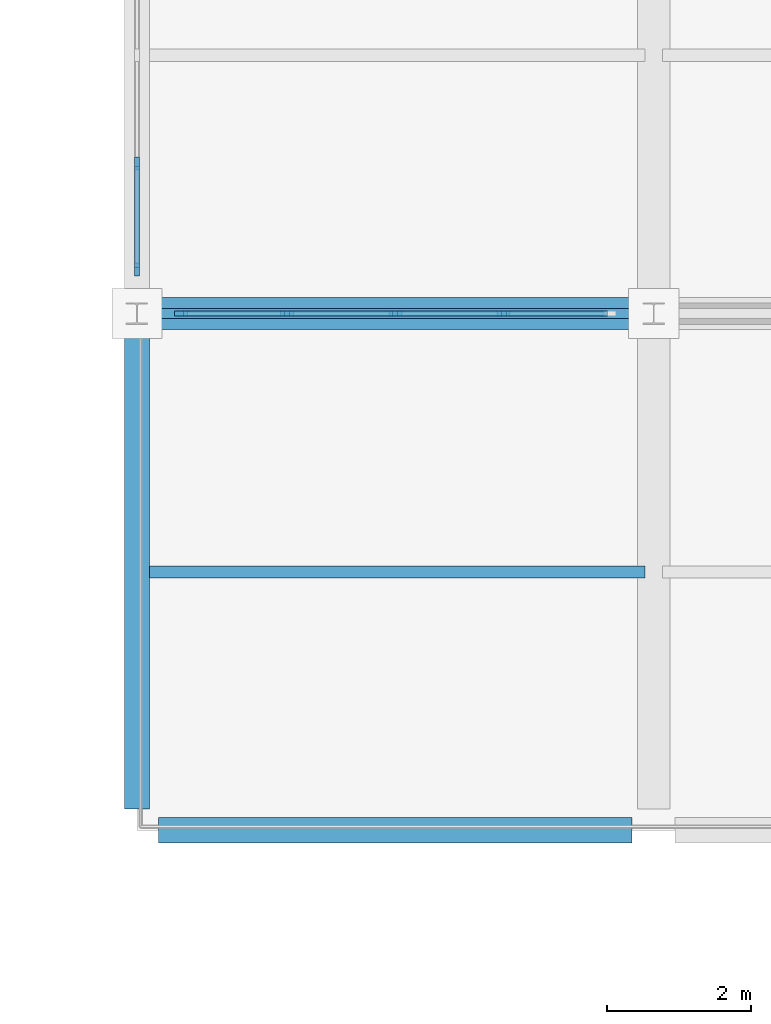
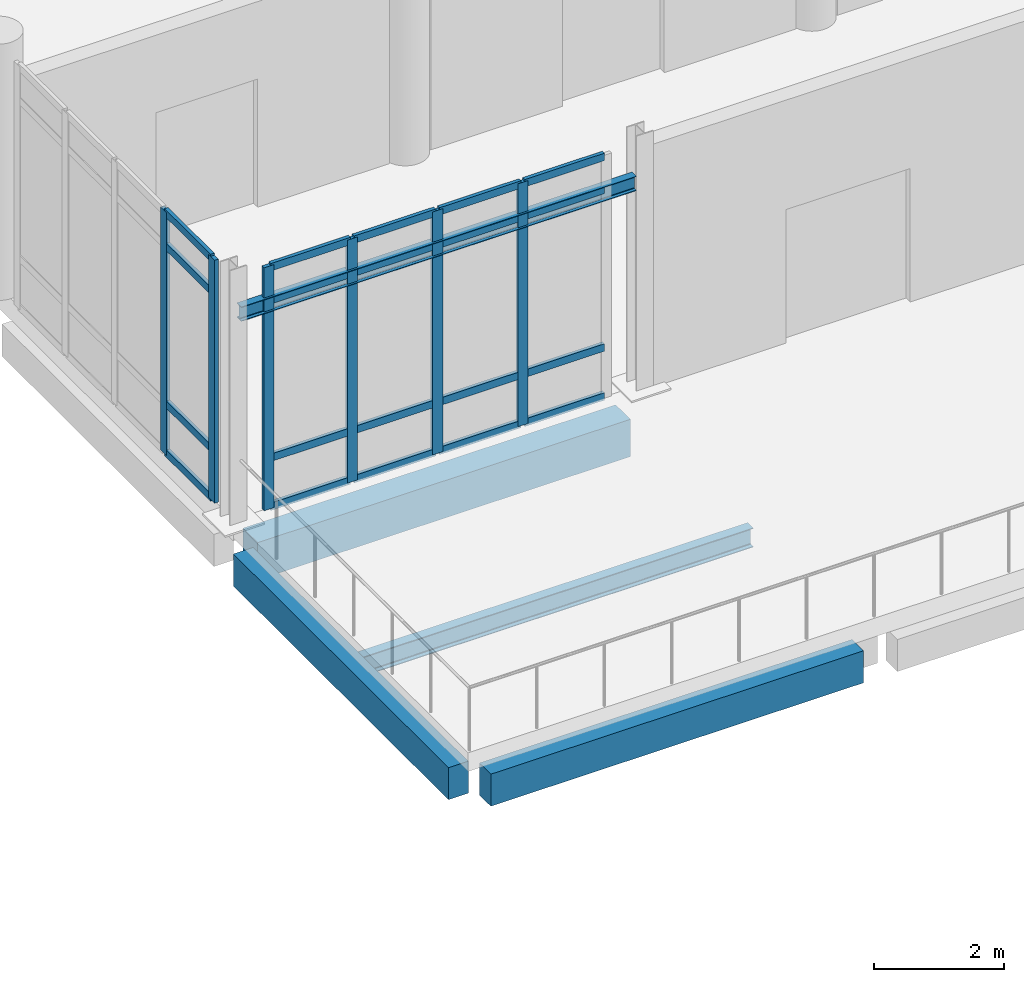
# One storey, part 8 of 59: 26 members, 5 beams, 2 elements without a shape of their own.
"""IFC4 building model written with IfcOpenShell, lengths in metres."""

from ifc_helpers import new_model, si_unit, direction, frame, origin, origin_2d, place, context, subcontext, project, spatial, rectangle, i_section, extrude, material, layer, layer_set, material_profile, profile_set, type_object, element, aggregate, save


model = new_model("IFC4")

# Units and contexts
model_context = context("Model", 3, precision=1e-05, world=origin(), true_north=direction((0.0, 1.0)))
body_context = subcontext(model_context, "Body", "Model", "MODEL_VIEW")
ifc_project = project(units=[si_unit("LENGTHUNIT", "METRE"), si_unit("AREAUNIT", "SQUARE_METRE"), si_unit("VOLUMEUNIT", "CUBIC_METRE"), si_unit("PLANEANGLEUNIT", "RADIAN"), si_unit("MASSUNIT", "GRAM", prefix="KILO")], contexts=[model_context])

# Site, building, storey
site_placement = place(None, origin())
site = spatial("IfcSite", under=ifc_project, at=site_placement, CompositionType="ELEMENT")
building_placement = place(site_placement, origin())
building = spatial("IfcBuilding", under=site, at=building_placement, Name="Valkovuoma Quantum and Materials Research Institute", CompositionType="ELEMENT")
storey_placement = place(building_placement, origin())
storey = spatial("IfcBuildingStorey", under=building, at=storey_placement, Name="L00", CompositionType="ELEMENT", Elevation=0.0)

# Beams
ifc_material_1 = material(Name="Steel S355J2", Category="steel")
ifc_material_profile_1 = material_profile(ifc_material_1, i_section(OverallWidth=0.169921875, OverallDepth=0.360107421875, WebThickness=0.008056640625, FlangeThickness=0.0126953125, FilletRadius=0.01806640625, at=origin_2d()), Name="Steel S355J2")
ifc_profile_set_1 = profile_set([ifc_material_profile_1], Name="Steel S355J2")
beam_type_1 = type_object("IfcBeamType", Name="Beam-B-JST360", PredefinedType="JOIST", material=ifc_profile_set_1)
beam_1_placement = place(storey_placement, frame((57.719970703125, 25.199951171875, -0.580078125), z_axis=(1.0, 0.0, 0.0), x_axis=(0.0, 1.0, 0.0)))
element("IfcBeam", 1, at=beam_1_placement, inside=storey, type_object=beam_type_1, Name="L00 floor joist 0401", PredefinedType="JOIST", context=body_context, shape_type="SweptSolid", body=[
    extrude(i_section(OverallWidth=0.169921875, OverallDepth=0.360107421875, WebThickness=0.008056640625, FlangeThickness=0.0126953125, FilletRadius=0.01806640625, at=origin_2d()), origin(), (0.0, 0.0, 1.0), 6.9599609375),
])
ifc_material_2 = material(Name="Steel S355J2", Category="steel")
ifc_material_profile_2 = material_profile(ifc_material_2, i_section(OverallWidth=0.135009765625, OverallDepth=0.27001953125, WebThickness=0.006591796875, FlangeThickness=0.01025390625, FilletRadius=0.014892578125, at=origin_2d()), Name="Steel S355J2")
ifc_profile_set_2 = profile_set([ifc_material_profile_2], Name="Steel S355J2")
beam_type_2 = type_object("IfcBeamType", Name="Beam-B-LNT270", PredefinedType="LINTEL", material=ifc_profile_set_2)
beam_2_placement = place(storey_placement, frame((57.699951171875, 28.800048828125, 3.85009765625), z_axis=(1.0, 0.0, 0.0), x_axis=(0.0, 1.0, 0.0)))
element("IfcBeam", 2, at=beam_2_placement, inside=storey, type_object=beam_type_2, Name="L00 structural lintel 04", PredefinedType="LINTEL", context=body_context, shape_type="SweptSolid", body=[
    extrude(i_section(OverallWidth=0.135009765625, OverallDepth=0.27001953125, WebThickness=0.006591796875, FlangeThickness=0.01025390625, FilletRadius=0.014892578125, at=origin_2d()), origin(), (0.0, 0.0, 1.0), 7.0),
])
ifc_material_3 = material(Name="Concrete C40/50", Category="concrete")
ifc_material_profile_3 = material_profile(ifc_material_3, rectangle(XDim=0.449951171875, YDim=0.699951171875, at=origin_2d()), Name="Concrete C40/50")
ifc_profile_set_3 = profile_set([ifc_material_profile_3], Name="Concrete C40/50")
beam_type_3 = type_object("IfcBeamType", Name="Beam-B-RC700", PredefinedType="BEAM", material=ifc_profile_set_3)
beam_3_placement = place(storey_placement, frame((57.89990234375, 28.800048828125, -0.75), z_axis=(1.0, 0.0, 0.0), x_axis=(0.0, 1.0, 0.0)))
element("IfcBeam", 3, at=beam_3_placement, inside=storey, type_object=beam_type_3, Name="L00 beam X-0021", PredefinedType="BEAM", context=body_context, shape_type="SweptSolid", body=[
    extrude(rectangle(XDim=0.449951171875, YDim=0.699951171875, at=origin_2d()), origin(), (0.0, 0.0, 1.0), 6.60009765625),
])
ifc_material_4 = material(Name="Concrete C40/50", Category="concrete")
ifc_material_profile_4 = material_profile(ifc_material_4, rectangle(XDim=0.35009765625, YDim=0.60009765625, at=origin_2d()), Name="Concrete C40/50")
ifc_profile_set_4 = profile_set([ifc_material_profile_4], Name="Concrete C40/50")
beam_type_4 = type_object("IfcBeamType", Name="Beam-B-SPN600", PredefinedType="SPANDREL", material=ifc_profile_set_4)
for number, where, z_axis, x_axis, name in (
    (4, (57.89990234375, 21.60009765625, -0.699951171875), (1.0, 0.0, 0.0), (0.0, 1.0, 0.0), "L00 beam X-0014"),
    (5, (57.60009765625, 21.89990234375, -0.699951171875), (0.0, 1.0, 0.0), (-1.0, 0.0, 0.0), "L00 beam Y-0262"),
):
    element("IfcBeam", number, at=place(storey_placement, frame(where, z_axis=z_axis, x_axis=x_axis)), inside=storey, type_object=beam_type_4, Name=name, PredefinedType="SPANDREL", context=body_context, shape_type="SweptSolid", body=[
        extrude(rectangle(XDim=0.35009765625, YDim=0.60009765625, at=origin_2d()), origin(), (0.0, 0.0, 1.0), 6.60009765625),
    ])

# Curtain wall, members
ifc_material_5 = material(Name="Thermally broken aluminium and triple low-E glazing", Category="aluminium")
ifc_layer = layer(ifc_material_5, 0.219970703125)
ifc_layer_set = layer_set([ifc_layer], Name="Thermally broken aluminium and triple low-E glazing")
curtain_wall_type = type_object("IfcCurtainWallType", Name="CW-CW-04", PredefinedType="NOTDEFINED", material=ifc_layer_set)
curtain_wall_1_placement = place(storey_placement, origin())
curtain_wall_1 = element("IfcCurtainWall", 6, at=curtain_wall_1_placement, inside=storey, type_object=curtain_wall_type, Name="L00 curtain wall 143", PredefinedType="NOTDEFINED")
ifc_material_6 = material(Name="Anodised aluminium 6060-T66", Category="aluminium")
ifc_material_profile_5 = material_profile(ifc_material_6, rectangle(XDim=0.06494140625, YDim=0.179931640625, at=origin_2d()), Name="Anodised aluminium 6060-T66")
ifc_profile_set_5 = profile_set([ifc_material_profile_5], Name="Anodised aluminium 6060-T66")
member_type_1 = type_object("IfcMemberType", Name="CWMull-CWM-01", PredefinedType="MULLION", material=ifc_profile_set_5)
member_1_placement = place(storey_placement, frame((58.21240234375, 28.800048828125, 0.0), z_axis=(0.0, 0.0, 1.0), x_axis=(0.0, 1.0, 0.0)))
member_1 = element("IfcMember", 7, at=member_1_placement, type_object=member_type_1, Name="CW-04 mullion 1", PredefinedType="MULLION", context=body_context, shape_type="SweptSolid", body=[
    extrude(rectangle(XDim=0.06494140625, YDim=0.179931640625, at=origin_2d()), origin(), (0.0, 0.0, 1.0), 4.550048828125),
])
member_2_placement = place(storey_placement, frame((59.68994140625, 28.800048828125, 0.0), z_axis=(0.0, 0.0, 1.0), x_axis=(0.0, 1.0, 0.0)))
member_2 = element("IfcMember", 8, at=member_2_placement, type_object=member_type_1, Name="CW-04 mullion 2", PredefinedType="MULLION", context=body_context, shape_type="SweptSolid", body=[
    extrude(rectangle(XDim=0.06494140625, YDim=0.179931640625, at=origin_2d()), origin(), (0.0, 0.0, 1.0), 4.550048828125),
])
member_3_placement = place(storey_placement, frame((61.199951171875, 28.800048828125, 0.0), z_axis=(0.0, 0.0, 1.0), x_axis=(0.0, 1.0, 0.0)))
member_3 = element("IfcMember", 9, at=member_3_placement, type_object=member_type_1, Name="CW-04 mullion 3", PredefinedType="MULLION", context=body_context, shape_type="SweptSolid", body=[
    extrude(rectangle(XDim=0.06494140625, YDim=0.179931640625, at=origin_2d()), origin(), (0.0, 0.0, 1.0), 4.550048828125),
])
member_4_placement = place(storey_placement, frame((62.7099609375, 28.800048828125, 0.0), z_axis=(0.0, 0.0, 1.0), x_axis=(0.0, 1.0, 0.0)))
member_4 = element("IfcMember", 10, at=member_4_placement, type_object=member_type_1, Name="CW-04 mullion 4", PredefinedType="MULLION", context=body_context, shape_type="SweptSolid", body=[
    extrude(rectangle(XDim=0.06494140625, YDim=0.179931640625, at=origin_2d()), origin(), (0.0, 0.0, 1.0), 4.550048828125),
])

curtain_wall_2_placement = place(storey_placement, origin())
curtain_wall_2 = element("IfcCurtainWall", 11, at=curtain_wall_2_placement, inside=storey, type_object=curtain_wall_type, Name="L00 curtain wall 145", PredefinedType="NOTDEFINED")
member_5_placement = place(storey_placement, frame((57.60009765625, 29.41259765625, 0.0), z_axis=(0.0, 0.0, 1.0), x_axis=(-1.0, 0.0, 0.0)))
member_5 = element("IfcMember", 12, at=member_5_placement, type_object=member_type_1, Name="CW-04 mullion 1", PredefinedType="MULLION", context=body_context, shape_type="SweptSolid", body=[
    extrude(rectangle(XDim=0.06494140625, YDim=0.179931640625, at=origin_2d()), origin(), (0.0, 0.0, 1.0), 4.550048828125),
])
member_6_placement = place(storey_placement, frame((57.60009765625, 30.889892578125, 0.0), z_axis=(0.0, 0.0, 1.0), x_axis=(-1.0, 0.0, 0.0)))
member_6 = element("IfcMember", 13, at=member_6_placement, type_object=member_type_1, Name="CW-04 mullion 2", PredefinedType="MULLION", context=body_context, shape_type="SweptSolid", body=[
    extrude(rectangle(XDim=0.06494140625, YDim=0.179931640625, at=origin_2d()), origin(), (0.0, 0.0, 1.0), 4.550048828125),
])

# Member
ifc_material_7 = material(Name="Anodised aluminium 6060-T66", Category="aluminium")
ifc_material_profile_6 = material_profile(ifc_material_7, rectangle(XDim=0.06494140625, YDim=0.139892578125, at=origin_2d()), Name="Anodised aluminium 6060-T66")
ifc_profile_set_6 = profile_set([ifc_material_profile_6], Name="Anodised aluminium 6060-T66")
member_type_2 = type_object("IfcMemberType", Name="CWTran-CWT-01", PredefinedType="USERDEFINED", material=ifc_profile_set_6)
member_7_placement = place(storey_placement, frame((58.2451171875, 28.800048828125, 0.032470703125), z_axis=(1.0, 0.0, 0.0), x_axis=(0.0, 1.0, 0.0)))
member_7 = element("IfcMember", 14, at=member_7_placement, type_object=member_type_2, Name="CW-04 transom 1.1", ObjectType="TRANSOM", PredefinedType="USERDEFINED", context=body_context, shape_type="SweptSolid", body=[
    extrude(rectangle(XDim=0.06494140625, YDim=0.139892578125, at=origin_2d()), origin(), (0.0, 0.0, 1.0), 1.412353515625),
])

member_8_placement = place(storey_placement, frame((58.2451171875, 28.800048828125, 0.949951171875), z_axis=(1.0, 0.0, 0.0), x_axis=(0.0, 1.0, 0.0)))
member_8 = element("IfcMember", 15, at=member_8_placement, type_object=member_type_2, Name="CW-04 transom 1.2", ObjectType="TRANSOM", PredefinedType="USERDEFINED", context=body_context, shape_type="SweptSolid", body=[
    extrude(rectangle(XDim=0.06494140625, YDim=0.139892578125, at=origin_2d()), origin(), (0.0, 0.0, 1.0), 1.412353515625),
])

member_9_placement = place(storey_placement, frame((58.2451171875, 28.800048828125, 3.89990234375), z_axis=(1.0, 0.0, 0.0), x_axis=(0.0, 1.0, 0.0)))
member_9 = element("IfcMember", 16, at=member_9_placement, type_object=member_type_2, Name="CW-04 transom 1.3", ObjectType="TRANSOM", PredefinedType="USERDEFINED", context=body_context, shape_type="SweptSolid", body=[
    extrude(rectangle(XDim=0.06494140625, YDim=0.139892578125, at=origin_2d()), origin(), (0.0, 0.0, 1.0), 1.412353515625),
])

member_10_placement = place(storey_placement, frame((58.2451171875, 28.800048828125, 4.517578125), z_axis=(1.0, 0.0, 0.0), x_axis=(0.0, 1.0, 0.0)))
member_10 = element("IfcMember", 17, at=member_10_placement, type_object=member_type_2, Name="CW-04 transom 1.4", ObjectType="TRANSOM", PredefinedType="USERDEFINED", context=body_context, shape_type="SweptSolid", body=[
    extrude(rectangle(XDim=0.06494140625, YDim=0.139892578125, at=origin_2d()), origin(), (0.0, 0.0, 1.0), 1.412353515625),
])

member_11_placement = place(storey_placement, frame((59.722412109375, 28.800048828125, 0.032470703125), z_axis=(1.0, 0.0, 0.0), x_axis=(0.0, 1.0, 0.0)))
member_11 = element("IfcMember", 18, at=member_11_placement, type_object=member_type_2, Name="CW-04 transom 2.1", ObjectType="TRANSOM", PredefinedType="USERDEFINED", context=body_context, shape_type="SweptSolid", body=[
    extrude(rectangle(XDim=0.06494140625, YDim=0.139892578125, at=origin_2d()), origin(), (0.0, 0.0, 1.0), 1.445068359375),
])

member_12_placement = place(storey_placement, frame((59.722412109375, 28.800048828125, 0.949951171875), z_axis=(1.0, 0.0, 0.0), x_axis=(0.0, 1.0, 0.0)))
member_12 = element("IfcMember", 19, at=member_12_placement, type_object=member_type_2, Name="CW-04 transom 2.2", ObjectType="TRANSOM", PredefinedType="USERDEFINED", context=body_context, shape_type="SweptSolid", body=[
    extrude(rectangle(XDim=0.06494140625, YDim=0.139892578125, at=origin_2d()), origin(), (0.0, 0.0, 1.0), 1.445068359375),
])

member_13_placement = place(storey_placement, frame((59.722412109375, 28.800048828125, 3.89990234375), z_axis=(1.0, 0.0, 0.0), x_axis=(0.0, 1.0, 0.0)))
member_13 = element("IfcMember", 20, at=member_13_placement, type_object=member_type_2, Name="CW-04 transom 2.3", ObjectType="TRANSOM", PredefinedType="USERDEFINED", context=body_context, shape_type="SweptSolid", body=[
    extrude(rectangle(XDim=0.06494140625, YDim=0.139892578125, at=origin_2d()), origin(), (0.0, 0.0, 1.0), 1.445068359375),
])

member_14_placement = place(storey_placement, frame((59.722412109375, 28.800048828125, 4.517578125), z_axis=(1.0, 0.0, 0.0), x_axis=(0.0, 1.0, 0.0)))
member_14 = element("IfcMember", 21, at=member_14_placement, type_object=member_type_2, Name="CW-04 transom 2.4", ObjectType="TRANSOM", PredefinedType="USERDEFINED", context=body_context, shape_type="SweptSolid", body=[
    extrude(rectangle(XDim=0.06494140625, YDim=0.139892578125, at=origin_2d()), origin(), (0.0, 0.0, 1.0), 1.445068359375),
])

member_15_placement = place(storey_placement, frame((61.232421875, 28.800048828125, 0.032470703125), z_axis=(1.0, 0.0, 0.0), x_axis=(0.0, 1.0, 0.0)))
member_15 = element("IfcMember", 22, at=member_15_placement, type_object=member_type_2, Name="CW-04 transom 3.1", ObjectType="TRANSOM", PredefinedType="USERDEFINED", context=body_context, shape_type="SweptSolid", body=[
    extrude(rectangle(XDim=0.06494140625, YDim=0.139892578125, at=origin_2d()), origin(), (0.0, 0.0, 1.0), 1.445068359375),
])

member_16_placement = place(storey_placement, frame((61.232421875, 28.800048828125, 0.949951171875), z_axis=(1.0, 0.0, 0.0), x_axis=(0.0, 1.0, 0.0)))
member_16 = element("IfcMember", 23, at=member_16_placement, type_object=member_type_2, Name="CW-04 transom 3.2", ObjectType="TRANSOM", PredefinedType="USERDEFINED", context=body_context, shape_type="SweptSolid", body=[
    extrude(rectangle(XDim=0.06494140625, YDim=0.139892578125, at=origin_2d()), origin(), (0.0, 0.0, 1.0), 1.445068359375),
])

member_17_placement = place(storey_placement, frame((61.232421875, 28.800048828125, 3.89990234375), z_axis=(1.0, 0.0, 0.0), x_axis=(0.0, 1.0, 0.0)))
member_17 = element("IfcMember", 24, at=member_17_placement, type_object=member_type_2, Name="CW-04 transom 3.3", ObjectType="TRANSOM", PredefinedType="USERDEFINED", context=body_context, shape_type="SweptSolid", body=[
    extrude(rectangle(XDim=0.06494140625, YDim=0.139892578125, at=origin_2d()), origin(), (0.0, 0.0, 1.0), 1.445068359375),
])

member_18_placement = place(storey_placement, frame((61.232421875, 28.800048828125, 4.517578125), z_axis=(1.0, 0.0, 0.0), x_axis=(0.0, 1.0, 0.0)))
member_18 = element("IfcMember", 25, at=member_18_placement, type_object=member_type_2, Name="CW-04 transom 3.4", ObjectType="TRANSOM", PredefinedType="USERDEFINED", context=body_context, shape_type="SweptSolid", body=[
    extrude(rectangle(XDim=0.06494140625, YDim=0.139892578125, at=origin_2d()), origin(), (0.0, 0.0, 1.0), 1.445068359375),
])

member_19_placement = place(storey_placement, frame((62.742431640625, 28.800048828125, 0.032470703125), z_axis=(1.0, 0.0, 0.0), x_axis=(0.0, 1.0, 0.0)))
member_19 = element("IfcMember", 26, at=member_19_placement, type_object=member_type_2, Name="CW-04 transom 4.1", ObjectType="TRANSOM", PredefinedType="USERDEFINED", context=body_context, shape_type="SweptSolid", body=[
    extrude(rectangle(XDim=0.06494140625, YDim=0.139892578125, at=origin_2d()), origin(), (0.0, 0.0, 1.0), 1.41259765625),
])

member_20_placement = place(storey_placement, frame((62.742431640625, 28.800048828125, 0.949951171875), z_axis=(1.0, 0.0, 0.0), x_axis=(0.0, 1.0, 0.0)))
member_20 = element("IfcMember", 27, at=member_20_placement, type_object=member_type_2, Name="CW-04 transom 4.2", ObjectType="TRANSOM", PredefinedType="USERDEFINED", context=body_context, shape_type="SweptSolid", body=[
    extrude(rectangle(XDim=0.06494140625, YDim=0.139892578125, at=origin_2d()), origin(), (0.0, 0.0, 1.0), 1.41259765625),
])

member_21_placement = place(storey_placement, frame((62.742431640625, 28.800048828125, 3.89990234375), z_axis=(1.0, 0.0, 0.0), x_axis=(0.0, 1.0, 0.0)))
member_21 = element("IfcMember", 28, at=member_21_placement, type_object=member_type_2, Name="CW-04 transom 4.3", ObjectType="TRANSOM", PredefinedType="USERDEFINED", context=body_context, shape_type="SweptSolid", body=[
    extrude(rectangle(XDim=0.06494140625, YDim=0.139892578125, at=origin_2d()), origin(), (0.0, 0.0, 1.0), 1.41259765625),
])

member_22_placement = place(storey_placement, frame((62.742431640625, 28.800048828125, 4.517578125), z_axis=(1.0, 0.0, 0.0), x_axis=(0.0, 1.0, 0.0)))
member_22 = element("IfcMember", 29, at=member_22_placement, type_object=member_type_2, Name="CW-04 transom 4.4", ObjectType="TRANSOM", PredefinedType="USERDEFINED", context=body_context, shape_type="SweptSolid", body=[
    extrude(rectangle(XDim=0.06494140625, YDim=0.139892578125, at=origin_2d()), origin(), (0.0, 0.0, 1.0), 1.41259765625),
])

aggregate(curtain_wall_1, [member_1, member_2, member_3, member_4, member_7, member_8, member_9, member_10, member_11, member_12, member_13, member_14, member_15, member_16, member_17, member_18, member_19, member_20, member_21, member_22])

member_23_placement = place(storey_placement, frame((57.60009765625, 29.445068359375, 0.032470703125), z_axis=(0.0, 1.0, 0.0), x_axis=(-1.0, 0.0, 0.0)))
member_23 = element("IfcMember", 30, at=member_23_placement, type_object=member_type_2, Name="CW-04 transom 1.1", ObjectType="TRANSOM", PredefinedType="USERDEFINED", context=body_context, shape_type="SweptSolid", body=[
    extrude(rectangle(XDim=0.06494140625, YDim=0.139892578125, at=origin_2d()), origin(), (0.0, 0.0, 1.0), 1.412353515625),
])

member_24_placement = place(storey_placement, frame((57.60009765625, 29.445068359375, 0.949951171875), z_axis=(0.0, 1.0, 0.0), x_axis=(-1.0, 0.0, 0.0)))
member_24 = element("IfcMember", 31, at=member_24_placement, type_object=member_type_2, Name="CW-04 transom 1.2", ObjectType="TRANSOM", PredefinedType="USERDEFINED", context=body_context, shape_type="SweptSolid", body=[
    extrude(rectangle(XDim=0.06494140625, YDim=0.139892578125, at=origin_2d()), origin(), (0.0, 0.0, 1.0), 1.412353515625),
])

member_25_placement = place(storey_placement, frame((57.60009765625, 29.445068359375, 3.89990234375), z_axis=(0.0, 1.0, 0.0), x_axis=(-1.0, 0.0, 0.0)))
member_25 = element("IfcMember", 32, at=member_25_placement, type_object=member_type_2, Name="CW-04 transom 1.3", ObjectType="TRANSOM", PredefinedType="USERDEFINED", context=body_context, shape_type="SweptSolid", body=[
    extrude(rectangle(XDim=0.06494140625, YDim=0.139892578125, at=origin_2d()), origin(), (0.0, 0.0, 1.0), 1.412353515625),
])

member_26_placement = place(storey_placement, frame((57.60009765625, 29.445068359375, 4.517578125), z_axis=(0.0, 1.0, 0.0), x_axis=(-1.0, 0.0, 0.0)))
member_26 = element("IfcMember", 33, at=member_26_placement, type_object=member_type_2, Name="CW-04 transom 1.4", ObjectType="TRANSOM", PredefinedType="USERDEFINED", context=body_context, shape_type="SweptSolid", body=[
    extrude(rectangle(XDim=0.06494140625, YDim=0.139892578125, at=origin_2d()), origin(), (0.0, 0.0, 1.0), 1.412353515625),
])

aggregate(curtain_wall_2, [member_5, member_6, member_23, member_24, member_25, member_26])

save(model, "model.ifc")
